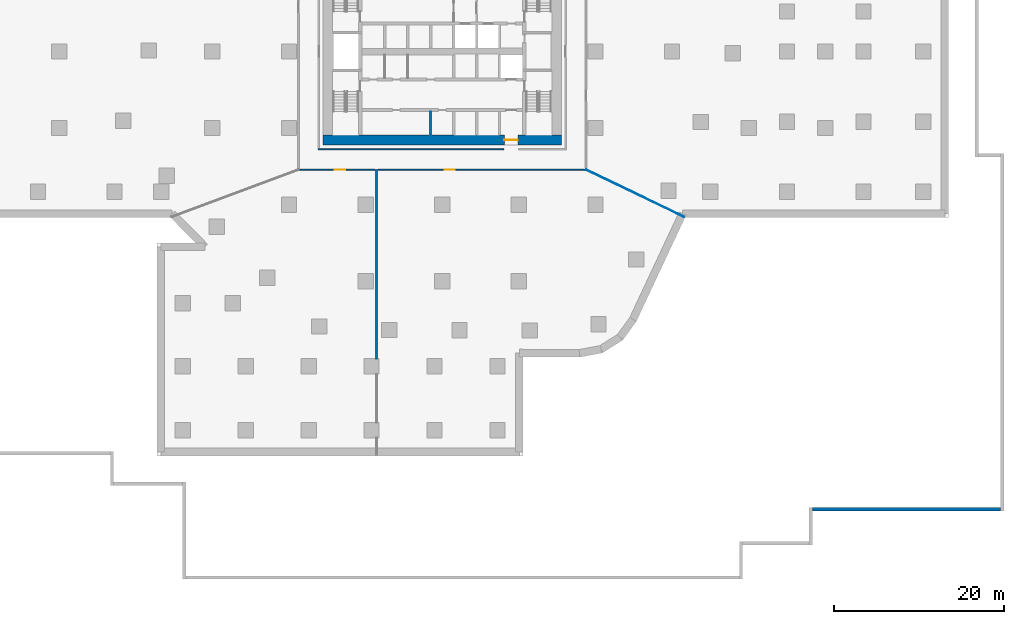
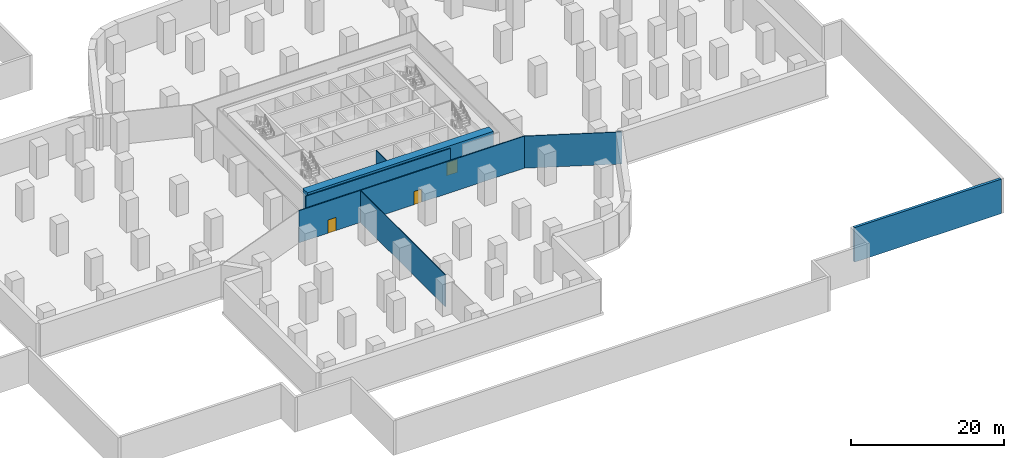
# One storey, part 3 of 9: 7 walls, 3 doors, 3 openings.
"""IFC4 building model written with IfcOpenShell, lengths in metres."""

from ifc_helpers import new_model, si_unit, direction, frame, frame_2d, origin, place, context, subcontext, project, spatial, rectangle, extrude, material, layer, layer_set, type_object, element, fill, save


model = new_model("IFC4")

# Units and contexts
model_context = context("Model", 3, precision=1e-05, world=origin(), true_north=direction((0.0, 1.0)))
body_context = subcontext(model_context, "Body", "Model", "MODEL_VIEW")
ifc_project = project(units=[si_unit("LENGTHUNIT", "METRE"), si_unit("AREAUNIT", "SQUARE_METRE"), si_unit("VOLUMEUNIT", "CUBIC_METRE"), si_unit("PLANEANGLEUNIT", "RADIAN"), si_unit("MASSUNIT", "GRAM", prefix="KILO")], contexts=[model_context])

# Site, building, storey
site_placement = place(None, origin())
site = spatial("IfcSite", under=ifc_project, at=site_placement, CompositionType="ELEMENT")
building_placement = place(site_placement, origin())
building = spatial("IfcBuilding", under=site, at=building_placement, Name="Dongbaek Canopy Tower", CompositionType="ELEMENT")
storey_placement = place(building_placement, frame((0.0, 0.0, -11.5)))
storey = spatial("IfcBuildingStorey", under=building, at=storey_placement, Name="B2", CompositionType="ELEMENT", Elevation=-11.5)

# Wall, opening, door
ifc_material_1 = material(Name="Concrete C60/75", Category="concrete")
ifc_layer_1 = layer(ifc_material_1, 1.199951171875)
ifc_layer_set_1 = layer_set([ifc_layer_1], Name="Core outer wall 1200 Concrete C60/75")
wall_type_1 = type_object("IfcWallType", Name="Core outer wall 1200 Concrete C60/75", PredefinedType="SHEAR", material=ifc_layer_set_1)
wall_1_placement = place(storey_placement, frame((14.0, -10.39990234375, 0.0), z_axis=(0.0, 0.0, 1.0), x_axis=(-1.0, 0.0, 0.0)))
wall_1 = element("IfcWall", 1, at=wall_1_placement, inside=storey, type_object=wall_type_1, Name="Core wall", PredefinedType="SHEAR", context=body_context, shape_type="SweptSolid", body=[
    extrude(rectangle(XDim=28.0, YDim=1.199951171875, at=frame_2d((14.0, 0.0))), origin(), (0.0, 0.0, 1.0), 5.10009765625),
])
opening_1_placement = place(wall_1_placement, frame((5.10009765625, 0.0, 0.0)))
opening_1 = element("IfcOpeningElement", 2, at=opening_1_placement, cuts=wall_1, Name="Opening B2-D021", PredefinedType="OPENING", context=body_context, shape_type="SweptSolid", body=[
    extrude(rectangle(XDim=1.60009765625, YDim=2.10009765625, at=frame_2d((0.800048828125, 1.050048828125))), frame((0.0, 0.60986328125, 0.0), z_axis=(0.0, -1.0, 0.0), x_axis=(1.0, 0.0, 0.0)), (0.0, 0.0, 1.0), 1.219970703125),
])
ifc_material_2 = material(Name="Steel", Category="steel")
door_type_1 = type_object("IfcDoorType", Name="Core exit door 1600 x 2100", OperationType="DOUBLE_DOOR_SINGLE_SWING", PredefinedType="DOOR", material=ifc_material_2)
door_1_placement = place(opening_1_placement, origin())
door_1 = element("IfcDoor", 3, at=door_1_placement, inside=storey, type_object=door_type_1, Name="Core exit door", OperationType="DOUBLE_DOOR_SINGLE_SWING", OverallHeight=2.10009765625, OverallWidth=1.60009765625, PredefinedType="DOOR", context=body_context, shape_type="SweptSolid", body=[
    extrude(rectangle(XDim=1.60009765625, YDim=2.10009765625, at=frame_2d((0.800048828125, 1.050048828125))), frame((0.0, 0.02490234375, 0.0), z_axis=(0.0, -1.0, 0.0), x_axis=(1.0, 0.0, 0.0)), (0.0, 0.0, 1.0), 0.050048828125),
])
fill(opening_1, door_1)

# Wall, openings, doors
ifc_material_3 = material(Name="Gypsum board partition, steel stud, 2 x 15 mm fire board", Category="steel")
ifc_layer_2 = layer(ifc_material_3, 0.14990234375)
ifc_layer_set_2 = layer_set([ifc_layer_2], Name="Fire-rated partition 150 gypsum board")
wall_type_2 = type_object("IfcWallType", Name="Fire-rated partition 150 gypsum board", PredefinedType="PARTITIONING", material=ifc_layer_set_2)
wall_2_placement = place(storey_placement, frame((16.97509765625, -13.89990234375, 0.0), z_axis=(0.0, 0.0, 1.0), x_axis=(-1.0, 0.0, 0.0)))
wall_2 = element("IfcWall", 4, at=wall_2_placement, inside=storey, type_object=wall_type_2, Name="Corridor partition", PredefinedType="PARTITIONING", context=body_context, shape_type="SweptSolid", body=[
    extrude(rectangle(XDim=33.9501953125, YDim=0.14990234375, at=frame_2d((16.97509765625, 0.0))), origin(), (0.0, 0.0, 1.0), 5.10009765625),
])
opening_2_placement = place(wall_2_placement, frame((28.375, 0.0, 0.0)))
opening_2 = element("IfcOpeningElement", 5, at=opening_2_placement, cuts=wall_2, Name="Opening B2-D002", PredefinedType="OPENING", context=body_context, shape_type="SweptSolid", body=[
    extrude(rectangle(XDim=1.199951171875, YDim=2.10009765625, at=frame_2d((0.60009765625, 1.050048828125))), frame((0.0, 0.0849609375, 0.0), z_axis=(0.0, -1.0, 0.0), x_axis=(1.0, 0.0, 0.0)), (0.0, 0.0, 1.0), 0.169921875),
])
opening_3_placement = place(wall_2_placement, frame((15.47509765625, 0.0, 0.0)))
opening_3 = element("IfcOpeningElement", 6, at=opening_3_placement, cuts=wall_2, Name="Opening B2-D003", PredefinedType="OPENING", context=body_context, shape_type="SweptSolid", body=[
    extrude(rectangle(XDim=1.199951171875, YDim=2.10009765625, at=frame_2d((0.60009765625, 1.050048828125))), frame((0.0, 0.0849609375, 0.0), z_axis=(0.0, -1.0, 0.0), x_axis=(1.0, 0.0, 0.0)), (0.0, 0.0, 1.0), 0.169921875),
])
ifc_material_4 = material(Name="Timber veneered door leaf", Category="wood")
door_type_2 = type_object("IfcDoorType", Name="Room door 1200 x 2100", OperationType="SINGLE_SWING_LEFT", PredefinedType="DOOR", material=ifc_material_4)
door_2_placement = place(opening_2_placement, origin())
door_2 = element("IfcDoor", 7, at=door_2_placement, inside=storey, type_object=door_type_2, Name="Door B2-D002", OperationType="SINGLE_SWING_LEFT", OverallHeight=2.10009765625, OverallWidth=1.199951171875, PredefinedType="DOOR", context=body_context, shape_type="SweptSolid", body=[
    extrude(rectangle(XDim=1.199951171875, YDim=2.10009765625, at=frame_2d((0.60009765625, 1.050048828125))), frame((0.0, 0.02490234375, 0.0), z_axis=(0.0, -1.0, 0.0), x_axis=(1.0, 0.0, 0.0)), (0.0, 0.0, 1.0), 0.050048828125),
])
fill(opening_2, door_2)
door_3_placement = place(opening_3_placement, origin())
door_3 = element("IfcDoor", 8, at=door_3_placement, inside=storey, type_object=door_type_2, Name="Door B2-D003", OperationType="SINGLE_SWING_RIGHT", OverallHeight=2.10009765625, OverallWidth=1.199951171875, PredefinedType="DOOR", context=body_context, shape_type="SweptSolid", body=[
    extrude(rectangle(XDim=1.199951171875, YDim=2.10009765625, at=frame_2d((0.60009765625, 1.050048828125))), frame((0.0, 0.02490234375, 0.0), z_axis=(0.0, -1.0, 0.0), x_axis=(1.0, 0.0, 0.0)), (0.0, 0.0, 1.0), 0.050048828125),
])
fill(opening_3, door_3)

# Walls
wall_3_placement = place(storey_placement, frame((-14.574951171875, -11.5, 0.0), z_axis=(0.0, 0.0, 1.0), x_axis=(1.0, 0.0, 0.0)))
element("IfcWall", 9, at=wall_3_placement, inside=storey, type_object=wall_type_2, Name="Corridor partition", PredefinedType="PARTITIONING", context=body_context, shape_type="SweptSolid", body=[
    extrude(rectangle(XDim=21.77490234375, YDim=0.14990234375, at=frame_2d((10.887451171875, 0.0))), origin(), (0.0, 0.0, 1.0), 5.10009765625),
])
ifc_material_5 = material(Name="Gypsum board partition, steel stud, 2 x 12.5 mm board", Category="steel")
ifc_layer_3 = layer(ifc_material_5, 0.10009765625)
ifc_layer_set_3 = layer_set([ifc_layer_3], Name="Partition 100 gypsum board")
wall_type_3 = type_object("IfcWallType", Name="Partition 100 gypsum board", PredefinedType="PARTITIONING", material=ifc_layer_set_3)
wall_4_placement = place(storey_placement, frame((-7.699951171875, -36.10009765625, 0.0), z_axis=(0.0, 0.0, 1.0), x_axis=(0.0, 1.0, 0.0)))
element("IfcWall", 10, at=wall_4_placement, inside=storey, type_object=wall_type_3, Name="Partition", PredefinedType="PARTITIONING", context=body_context, shape_type="SweptSolid", body=[
    extrude(rectangle(XDim=22.125, YDim=0.10009765625, at=frame_2d((11.0625, 0.0))), origin(), (0.0, 0.0, 1.0), 5.10009765625),
])
wall_5_placement = place(storey_placement, frame((16.900146484375, -13.899658203125, 0.0), z_axis=(0.0, 0.0, 1.0), x_axis=(0.901001946138, -0.433815044754, 0.0)))
element("IfcWall", 11, at=wall_5_placement, inside=storey, type_object=wall_type_3, Name="Partition", PredefinedType="PARTITIONING", context=body_context, shape_type="SweptSolid", body=[
    extrude(rectangle(XDim=12.787841796875, YDim=0.10009765625, at=frame_2d((6.39404296875, 0.0))), origin(), (0.0, 0.0, 1.0), 5.10009765625),
])
wall_6_placement = place(storey_placement, frame((-1.35009765625, -9.800048828125, 0.0), z_axis=(0.0, 0.0, 1.0), x_axis=(0.0, 1.0, 0.0)))
element("IfcWall", 12, at=wall_6_placement, inside=storey, type_object=wall_type_3, Name="Core partition", PredefinedType="PARTITIONING", context=body_context, shape_type="SweptSolid", body=[
    extrude(rectangle(XDim=2.72509765625, YDim=0.10009765625, at=frame_2d((1.362548828125, 0.0))), origin(), (0.0, 0.0, 1.0), 5.10009765625),
])
ifc_material_6 = material(Name="Concrete C40/50", Category="concrete")
ifc_layer_4 = layer(ifc_material_6, 0.39990234375)
ifc_layer_set_4 = layer_set([ifc_layer_4], Name="Plaza plinth wall 400")
wall_type_4 = type_object("IfcWallType", Name="Plaza plinth wall 400", PredefinedType="SOLIDWALL", material=ifc_layer_set_4)
wall_7_placement = place(storey_placement, frame((43.5, -53.800048828125, 0.0), z_axis=(0.0, 0.0, 1.0), x_axis=(1.0, 0.0, 0.0)))
element("IfcWall", 13, at=wall_7_placement, inside=storey, type_object=wall_type_4, Name="Plaza plinth wall 32", PredefinedType="SOLIDWALL", context=body_context, shape_type="SweptSolid", body=[
    extrude(rectangle(XDim=22.10009765625, YDim=0.39990234375, at=frame_2d((11.050048828125, 0.0))), origin(), (0.0, 0.0, 1.0), 5.5),
])

save(model, "model.ifc")
